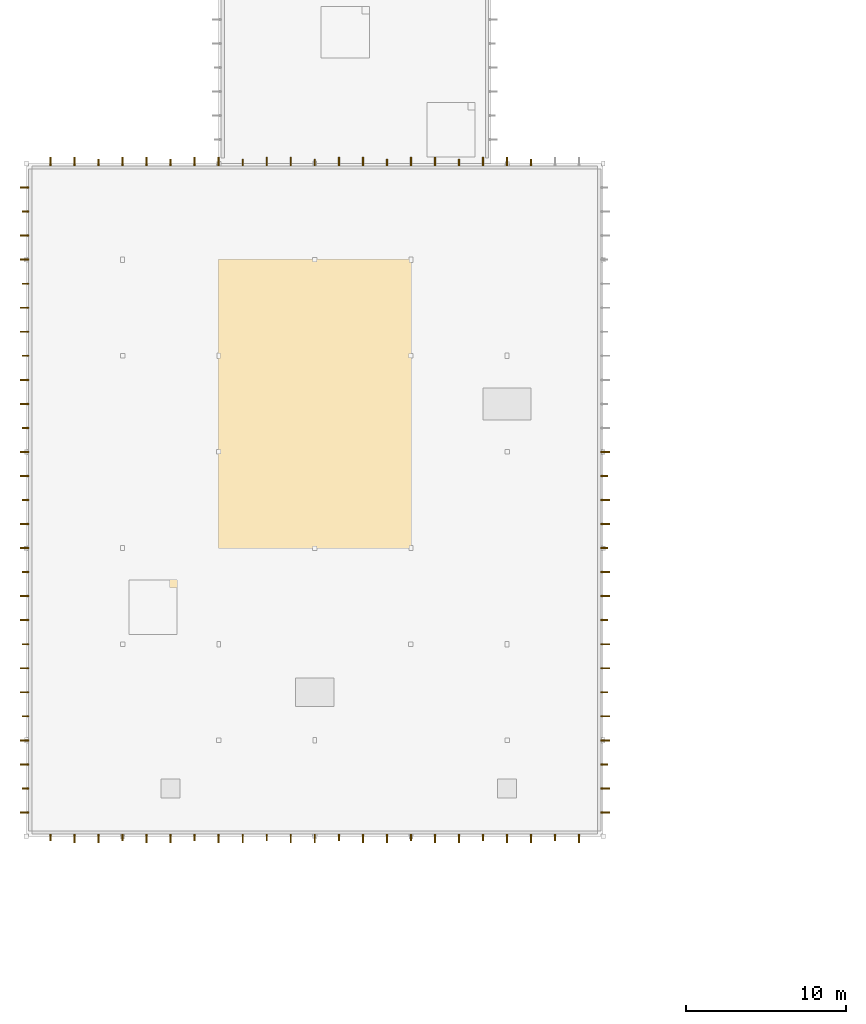
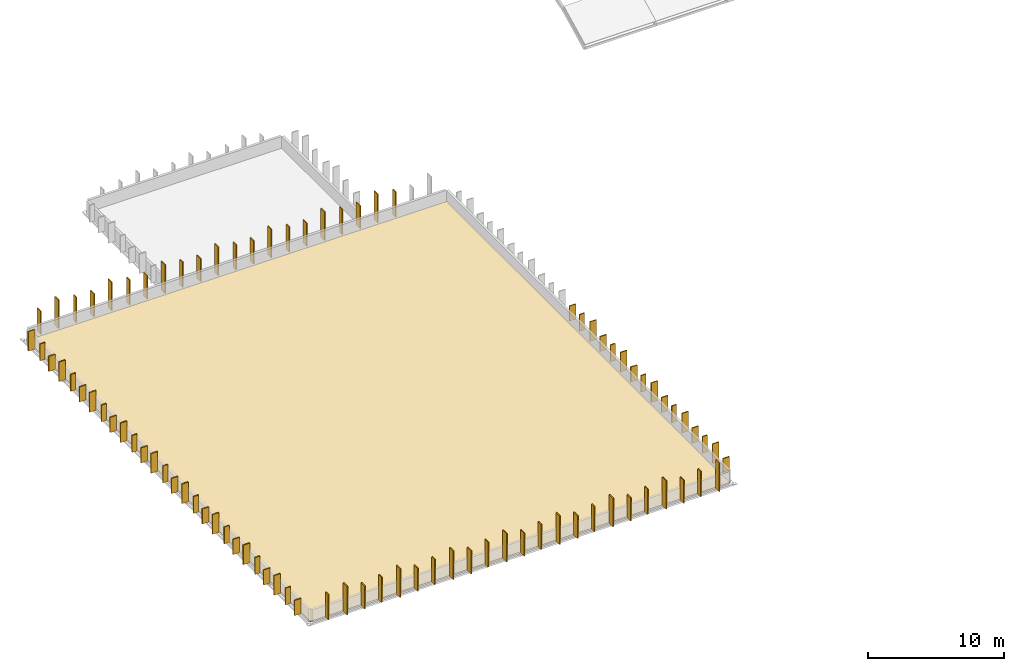
# One storey, part 21 of 27: 88 coverings.
"""IFC4 building model written with IfcOpenShell, lengths in metres."""

from ifc_helpers import new_model, si_unit, direction, frame, origin, origin_2d, place, context, subcontext, project, spatial, polyline, rectangle, outline, extrude, material, layer, layer_set, type_object, element, save


model = new_model("IFC4")

# Units and contexts
model_context = context("Model", 3, precision=1e-05, world=origin(), true_north=direction((0.0, 1.0)))
body_context = subcontext(model_context, "Body", "Model", "MODEL_VIEW")
ifc_project = project(units=[si_unit("LENGTHUNIT", "METRE"), si_unit("AREAUNIT", "SQUARE_METRE"), si_unit("VOLUMEUNIT", "CUBIC_METRE"), si_unit("PLANEANGLEUNIT", "RADIAN"), si_unit("MASSUNIT", "GRAM", prefix="KILO")], contexts=[model_context])

# Site, building, storey
site_placement = place(None, origin())
site = spatial("IfcSite", under=ifc_project, at=site_placement, CompositionType="ELEMENT")
building_placement = place(site_placement, origin())
building = spatial("IfcBuilding", under=site, at=building_placement, Name="Varnakota Square Police Headquarters", CompositionType="ELEMENT")
storey_placement = place(building_placement, frame((0.0, 0.0, 26.10009765625)))
storey = spatial("IfcBuildingStorey", under=building, at=storey_placement, Name="L06", CompositionType="ELEMENT", Elevation=26.10009765625)

# Coverings
ifc_material_1 = material(Name="White Anodised Aluminium Vertical Facade Blade 420", Category="aluminium")
ifc_layer_1 = layer(ifc_material_1, 0.0849609375, Name="White Anodised Aluminium Vertical Facade Blade 420")
ifc_layer_set_1 = layer_set([ifc_layer_1], Name="White Anodised Aluminium Vertical Facade Blade 420")
covering_type_1 = type_object("IfcCoveringType", Name="COV-FIN-420", PredefinedType="CLADDING", material=ifc_layer_set_1)
for number, where, z_axis, x_axis, name in (
    (1, (7.5, 20.93994140625, 0.0498046875), (0.0, 0.0, 1.0), (1.0, 0.0, 0.0), "Vertical aluminium facade fin FIN-1441"),
    (2, (12.0, 20.93994140625, 0.0498046875), (0.0, 0.0, 1.0), (1.0, 0.0, 0.0), "Vertical aluminium facade fin FIN-1444"),
    (3, (16.5, 20.93994140625, 0.0498046875), (0.0, 0.0, 1.0), (1.0, 0.0, 0.0), "Vertical aluminium facade fin FIN-1447"),
    (4, (21.0, 20.93994140625, 0.0498046875), (0.0, 0.0, 1.0), (1.0, 0.0, 0.0), "Vertical aluminium facade fin FIN-1450"),
    (5, (25.5, 20.93994140625, 0.0498046875), (0.0, 0.0, 1.0), (1.0, 0.0, 0.0), "Vertical aluminium facade fin FIN-1453"),
    (6, (30.0, 20.93994140625, 0.0498046875), (0.0, 0.0, 1.0), (1.0, 0.0, 0.0), "Vertical aluminium facade fin FIN-1456"),
    (7, (34.5, 20.93994140625, 0.0498046875), (0.0, 0.0, 1.0), (1.0, 0.0, 0.0), "Vertical aluminium facade fin FIN-1459"),
    (8, (39.0, 20.93994140625, 0.0498046875), (0.0, 0.0, 1.0), (1.0, 0.0, 0.0), "Vertical aluminium facade fin FIN-1462"),
):
    element("IfcCovering", number, at=place(storey_placement, frame(where, z_axis=z_axis, x_axis=x_axis)), inside=storey, type_object=covering_type_1, Name=name, PredefinedType="CLADDING", context=body_context, shape_type="SweptSolid", body=[
        extrude(rectangle(XDim=0.0849609375, YDim=0.419921875, at=origin_2d()), origin(), (0.0, 0.0, 1.0), 2.25),
    ])
for number, where, z_axis, x_axis, name in (
    (9, (42.06005859375, 25.5, 0.0498046875), (0.0, 0.0, 1.0), (0.0, 1.0, 0.0), "Vertical aluminium facade fin FIN-1466"),
    (10, (42.06005859375, 30.0, 0.0498046875), (0.0, 0.0, 1.0), (0.0, 1.0, 0.0), "Vertical aluminium facade fin FIN-1469"),
    (11, (42.06005859375, 34.5, 0.0498046875), (0.0, 0.0, 1.0), (0.0, 1.0, 0.0), "Vertical aluminium facade fin FIN-1472"),
    (12, (42.06005859375, 39.0, 0.0498046875), (0.0, 0.0, 1.0), (0.0, 1.0, 0.0), "Vertical aluminium facade fin FIN-1475"),
    (13, (42.06005859375, 43.5, 0.0498046875), (0.0, 0.0, 1.0), (0.0, 1.0, 0.0), "Vertical aluminium facade fin FIN-1478"),
):
    element("IfcCovering", number, at=place(storey_placement, frame(where, z_axis=z_axis, x_axis=x_axis)), inside=storey, type_object=covering_type_1, Name=name, PredefinedType="CLADDING", context=body_context, shape_type="SweptSolid", body=[
        extrude(rectangle(XDim=0.0849609375, YDim=0.419921875, at=origin_2d()), origin(), (0.0, 0.0, 1.0), 1.5),
    ])
for number, where, z_axis, x_axis, name in (
    (14, (37.5, 63.06005859375, 0.0498046875), (0.0, 0.0, 1.0), (-1.0, 0.0, 0.0), "Vertical aluminium facade fin FIN-1493"),
    (15, (33.0, 63.06005859375, 0.0498046875), (0.0, 0.0, 1.0), (-1.0, 0.0, 0.0), "Vertical aluminium facade fin FIN-1496"),
    (16, (28.5, 63.06005859375, 0.0498046875), (0.0, 0.0, 1.0), (-1.0, 0.0, 0.0), "Vertical aluminium facade fin FIN-1499"),
    (17, (24.0, 63.06005859375, 0.0498046875), (0.0, 0.0, 1.0), (-1.0, 0.0, 0.0), "Vertical aluminium facade fin FIN-1502"),
    (18, (19.5, 63.06005859375, 0.0498046875), (0.0, 0.0, 1.0), (-1.0, 0.0, 0.0), "Vertical aluminium facade fin FIN-1505"),
    (19, (15.0, 63.06005859375, 0.0498046875), (0.0, 0.0, 1.0), (-1.0, 0.0, 0.0), "Vertical aluminium facade fin FIN-1508"),
    (20, (10.5, 63.06005859375, 0.0498046875), (0.0, 0.0, 1.0), (-1.0, 0.0, 0.0), "Vertical aluminium facade fin FIN-1511"),
):
    element("IfcCovering", number, at=place(storey_placement, frame(where, z_axis=z_axis, x_axis=x_axis)), inside=storey, type_object=covering_type_1, Name=name, PredefinedType="CLADDING", context=body_context, shape_type="SweptSolid", body=[
        extrude(rectangle(XDim=0.0849609375, YDim=0.419921875, at=origin_2d()), origin(), (0.0, 0.0, 1.0), 2.25),
    ])
for number, where, z_axis, x_axis, name in (
    (21, (5.93994140625, 60.0, 0.0498046875), (0.0, 0.0, 1.0), (0.0, -1.0, 0.0), "Vertical aluminium facade fin FIN-1515"),
    (22, (5.93994140625, 55.5, 0.0498046875), (0.0, 0.0, 1.0), (0.0, -1.0, 0.0), "Vertical aluminium facade fin FIN-1518"),
    (23, (5.93994140625, 51.0, 0.0498046875), (0.0, 0.0, 1.0), (0.0, -1.0, 0.0), "Vertical aluminium facade fin FIN-1521"),
    (24, (5.93994140625, 46.5, 0.0498046875), (0.0, 0.0, 1.0), (0.0, -1.0, 0.0), "Vertical aluminium facade fin FIN-1524"),
    (25, (5.93994140625, 42.0, 0.0498046875), (0.0, 0.0, 1.0), (0.0, -1.0, 0.0), "Vertical aluminium facade fin FIN-1527"),
    (26, (5.93994140625, 37.5, 0.0498046875), (0.0, 0.0, 1.0), (0.0, -1.0, 0.0), "Vertical aluminium facade fin FIN-1530"),
    (27, (5.93994140625, 33.0, 0.0498046875), (0.0, 0.0, 1.0), (0.0, -1.0, 0.0), "Vertical aluminium facade fin FIN-1533"),
    (28, (5.93994140625, 28.5, 0.0498046875), (0.0, 0.0, 1.0), (0.0, -1.0, 0.0), "Vertical aluminium facade fin FIN-1536"),
    (29, (5.93994140625, 24.0, 0.0498046875), (0.0, 0.0, 1.0), (0.0, -1.0, 0.0), "Vertical aluminium facade fin FIN-1539"),
):
    element("IfcCovering", number, at=place(storey_placement, frame(where, z_axis=z_axis, x_axis=x_axis)), inside=storey, type_object=covering_type_1, Name=name, PredefinedType="CLADDING", context=body_context, shape_type="SweptSolid", body=[
        extrude(rectangle(XDim=0.0849609375, YDim=0.419921875, at=origin_2d()), origin(), (0.0, 0.0, 1.0), 1.5),
    ])
ifc_material_2 = material(Name="White Anodised Aluminium Vertical Facade Blade 550", Category="aluminium")
ifc_layer_2 = layer(ifc_material_2, 0.0849609375, Name="White Anodised Aluminium Vertical Facade Blade 550")
ifc_layer_set_2 = layer_set([ifc_layer_2], Name="White Anodised Aluminium Vertical Facade Blade 550")
covering_type_2 = type_object("IfcCoveringType", Name="COV-FIN-550", PredefinedType="CLADDING", material=ifc_layer_set_2)
covering_1_placement = place(storey_placement, frame((9.0, 20.875, 0.0498046875), z_axis=(0.0, 0.0, 1.0), x_axis=(1.0, 0.0, 0.0)))
element("IfcCovering", 30, at=covering_1_placement, inside=storey, type_object=covering_type_2, Name="Vertical aluminium facade fin FIN-1442", PredefinedType="CLADDING", context=body_context, shape_type="SweptSolid", body=[
    extrude(rectangle(XDim=0.0849609375, YDim=0.550048828125, at=origin_2d()), origin(), (0.0, 0.0, 1.0), 2.550048828125),
])
covering_2_placement = place(storey_placement, frame((10.5, 20.875, 0.0498046875), z_axis=(0.0, 0.0, 1.0), x_axis=(1.0, 0.0, 0.0)))
element("IfcCovering", 31, at=covering_2_placement, inside=storey, type_object=covering_type_2, Name="Vertical aluminium facade fin FIN-1443", PredefinedType="CLADDING", context=body_context, shape_type="SweptSolid", body=[
    extrude(rectangle(XDim=0.0849609375, YDim=0.550048828125, at=origin_2d()), origin(), (0.0, 0.0, 1.0), 2.050048828125),
])
covering_3_placement = place(storey_placement, frame((13.5, 20.875, 0.0498046875), z_axis=(0.0, 0.0, 1.0), x_axis=(1.0, 0.0, 0.0)))
element("IfcCovering", 32, at=covering_3_placement, inside=storey, type_object=covering_type_2, Name="Vertical aluminium facade fin FIN-1445", PredefinedType="CLADDING", context=body_context, shape_type="SweptSolid", body=[
    extrude(rectangle(XDim=0.0849609375, YDim=0.550048828125, at=origin_2d()), origin(), (0.0, 0.0, 1.0), 2.550048828125),
])
covering_4_placement = place(storey_placement, frame((15.0, 20.875, 0.0498046875), z_axis=(0.0, 0.0, 1.0), x_axis=(1.0, 0.0, 0.0)))
element("IfcCovering", 33, at=covering_4_placement, inside=storey, type_object=covering_type_2, Name="Vertical aluminium facade fin FIN-1446", PredefinedType="CLADDING", context=body_context, shape_type="SweptSolid", body=[
    extrude(rectangle(XDim=0.0849609375, YDim=0.550048828125, at=origin_2d()), origin(), (0.0, 0.0, 1.0), 2.050048828125),
])
covering_5_placement = place(storey_placement, frame((18.0, 20.875, 0.0498046875), z_axis=(0.0, 0.0, 1.0), x_axis=(1.0, 0.0, 0.0)))
element("IfcCovering", 34, at=covering_5_placement, inside=storey, type_object=covering_type_2, Name="Vertical aluminium facade fin FIN-1448", PredefinedType="CLADDING", context=body_context, shape_type="SweptSolid", body=[
    extrude(rectangle(XDim=0.0849609375, YDim=0.550048828125, at=origin_2d()), origin(), (0.0, 0.0, 1.0), 2.550048828125),
])
covering_6_placement = place(storey_placement, frame((19.5, 20.875, 0.0498046875), z_axis=(0.0, 0.0, 1.0), x_axis=(1.0, 0.0, 0.0)))
element("IfcCovering", 35, at=covering_6_placement, inside=storey, type_object=covering_type_2, Name="Vertical aluminium facade fin FIN-1449", PredefinedType="CLADDING", context=body_context, shape_type="SweptSolid", body=[
    extrude(rectangle(XDim=0.0849609375, YDim=0.550048828125, at=origin_2d()), origin(), (0.0, 0.0, 1.0), 2.050048828125),
])
covering_7_placement = place(storey_placement, frame((22.5, 20.875, 0.0498046875), z_axis=(0.0, 0.0, 1.0), x_axis=(1.0, 0.0, 0.0)))
element("IfcCovering", 36, at=covering_7_placement, inside=storey, type_object=covering_type_2, Name="Vertical aluminium facade fin FIN-1451", PredefinedType="CLADDING", context=body_context, shape_type="SweptSolid", body=[
    extrude(rectangle(XDim=0.0849609375, YDim=0.550048828125, at=origin_2d()), origin(), (0.0, 0.0, 1.0), 2.550048828125),
])
covering_8_placement = place(storey_placement, frame((24.0, 20.875, 0.0498046875), z_axis=(0.0, 0.0, 1.0), x_axis=(1.0, 0.0, 0.0)))
element("IfcCovering", 37, at=covering_8_placement, inside=storey, type_object=covering_type_2, Name="Vertical aluminium facade fin FIN-1452", PredefinedType="CLADDING", context=body_context, shape_type="SweptSolid", body=[
    extrude(rectangle(XDim=0.0849609375, YDim=0.550048828125, at=origin_2d()), origin(), (0.0, 0.0, 1.0), 2.050048828125),
])
covering_9_placement = place(storey_placement, frame((27.0, 20.875, 0.0498046875), z_axis=(0.0, 0.0, 1.0), x_axis=(1.0, 0.0, 0.0)))
element("IfcCovering", 38, at=covering_9_placement, inside=storey, type_object=covering_type_2, Name="Vertical aluminium facade fin FIN-1454", PredefinedType="CLADDING", context=body_context, shape_type="SweptSolid", body=[
    extrude(rectangle(XDim=0.0849609375, YDim=0.550048828125, at=origin_2d()), origin(), (0.0, 0.0, 1.0), 2.550048828125),
])
covering_10_placement = place(storey_placement, frame((28.5, 20.875, 0.0498046875), z_axis=(0.0, 0.0, 1.0), x_axis=(1.0, 0.0, 0.0)))
element("IfcCovering", 39, at=covering_10_placement, inside=storey, type_object=covering_type_2, Name="Vertical aluminium facade fin FIN-1455", PredefinedType="CLADDING", context=body_context, shape_type="SweptSolid", body=[
    extrude(rectangle(XDim=0.0849609375, YDim=0.550048828125, at=origin_2d()), origin(), (0.0, 0.0, 1.0), 2.050048828125),
])
covering_11_placement = place(storey_placement, frame((31.5, 20.875, 0.0498046875), z_axis=(0.0, 0.0, 1.0), x_axis=(1.0, 0.0, 0.0)))
element("IfcCovering", 40, at=covering_11_placement, inside=storey, type_object=covering_type_2, Name="Vertical aluminium facade fin FIN-1457", PredefinedType="CLADDING", context=body_context, shape_type="SweptSolid", body=[
    extrude(rectangle(XDim=0.0849609375, YDim=0.550048828125, at=origin_2d()), origin(), (0.0, 0.0, 1.0), 2.550048828125),
])
covering_12_placement = place(storey_placement, frame((33.0, 20.875, 0.0498046875), z_axis=(0.0, 0.0, 1.0), x_axis=(1.0, 0.0, 0.0)))
element("IfcCovering", 41, at=covering_12_placement, inside=storey, type_object=covering_type_2, Name="Vertical aluminium facade fin FIN-1458", PredefinedType="CLADDING", context=body_context, shape_type="SweptSolid", body=[
    extrude(rectangle(XDim=0.0849609375, YDim=0.550048828125, at=origin_2d()), origin(), (0.0, 0.0, 1.0), 2.050048828125),
])
covering_13_placement = place(storey_placement, frame((36.0, 20.875, 0.0498046875), z_axis=(0.0, 0.0, 1.0), x_axis=(1.0, 0.0, 0.0)))
element("IfcCovering", 42, at=covering_13_placement, inside=storey, type_object=covering_type_2, Name="Vertical aluminium facade fin FIN-1460", PredefinedType="CLADDING", context=body_context, shape_type="SweptSolid", body=[
    extrude(rectangle(XDim=0.0849609375, YDim=0.550048828125, at=origin_2d()), origin(), (0.0, 0.0, 1.0), 2.550048828125),
])
covering_14_placement = place(storey_placement, frame((37.5, 20.875, 0.0498046875), z_axis=(0.0, 0.0, 1.0), x_axis=(1.0, 0.0, 0.0)))
element("IfcCovering", 43, at=covering_14_placement, inside=storey, type_object=covering_type_2, Name="Vertical aluminium facade fin FIN-1461", PredefinedType="CLADDING", context=body_context, shape_type="SweptSolid", body=[
    extrude(rectangle(XDim=0.0849609375, YDim=0.550048828125, at=origin_2d()), origin(), (0.0, 0.0, 1.0), 2.050048828125),
])
covering_15_placement = place(storey_placement, frame((40.5, 20.875, 0.0498046875), z_axis=(0.0, 0.0, 1.0), x_axis=(1.0, 0.0, 0.0)))
element("IfcCovering", 44, at=covering_15_placement, inside=storey, type_object=covering_type_2, Name="Vertical aluminium facade fin FIN-1463", PredefinedType="CLADDING", context=body_context, shape_type="SweptSolid", body=[
    extrude(rectangle(XDim=0.0849609375, YDim=0.550048828125, at=origin_2d()), origin(), (0.0, 0.0, 1.0), 2.550048828125),
])
covering_16_placement = place(storey_placement, frame((42.125, 22.5, 0.0498046875), z_axis=(0.0, 0.0, 1.0), x_axis=(0.0, 1.0, 0.0)))
element("IfcCovering", 45, at=covering_16_placement, inside=storey, type_object=covering_type_2, Name="Vertical aluminium facade fin FIN-1464", PredefinedType="CLADDING", context=body_context, shape_type="SweptSolid", body=[
    extrude(rectangle(XDim=0.0849609375, YDim=0.550048828125, at=origin_2d()), origin(), (0.0, 0.0, 1.0), 1.35009765625),
])
covering_17_placement = place(storey_placement, frame((42.125, 24.0, 0.0498046875), z_axis=(0.0, 0.0, 1.0), x_axis=(0.0, 1.0, 0.0)))
element("IfcCovering", 46, at=covering_17_placement, inside=storey, type_object=covering_type_2, Name="Vertical aluminium facade fin FIN-1465", PredefinedType="CLADDING", context=body_context, shape_type="SweptSolid", body=[
    extrude(rectangle(XDim=0.0849609375, YDim=0.550048828125, at=origin_2d()), origin(), (0.0, 0.0, 1.0), 1.75),
])
covering_18_placement = place(storey_placement, frame((42.125, 27.0, 0.0498046875), z_axis=(0.0, 0.0, 1.0), x_axis=(0.0, 1.0, 0.0)))
element("IfcCovering", 47, at=covering_18_placement, inside=storey, type_object=covering_type_2, Name="Vertical aluminium facade fin FIN-1467", PredefinedType="CLADDING", context=body_context, shape_type="SweptSolid", body=[
    extrude(rectangle(XDim=0.0849609375, YDim=0.550048828125, at=origin_2d()), origin(), (0.0, 0.0, 1.0), 1.35009765625),
])
covering_19_placement = place(storey_placement, frame((42.125, 28.5, 0.0498046875), z_axis=(0.0, 0.0, 1.0), x_axis=(0.0, 1.0, 0.0)))
element("IfcCovering", 48, at=covering_19_placement, inside=storey, type_object=covering_type_2, Name="Vertical aluminium facade fin FIN-1468", PredefinedType="CLADDING", context=body_context, shape_type="SweptSolid", body=[
    extrude(rectangle(XDim=0.0849609375, YDim=0.550048828125, at=origin_2d()), origin(), (0.0, 0.0, 1.0), 1.75),
])
covering_20_placement = place(storey_placement, frame((42.125, 31.5, 0.0498046875), z_axis=(0.0, 0.0, 1.0), x_axis=(0.0, 1.0, 0.0)))
element("IfcCovering", 49, at=covering_20_placement, inside=storey, type_object=covering_type_2, Name="Vertical aluminium facade fin FIN-1470", PredefinedType="CLADDING", context=body_context, shape_type="SweptSolid", body=[
    extrude(rectangle(XDim=0.0849609375, YDim=0.550048828125, at=origin_2d()), origin(), (0.0, 0.0, 1.0), 1.35009765625),
])
covering_21_placement = place(storey_placement, frame((42.125, 33.0, 0.0498046875), z_axis=(0.0, 0.0, 1.0), x_axis=(0.0, 1.0, 0.0)))
element("IfcCovering", 50, at=covering_21_placement, inside=storey, type_object=covering_type_2, Name="Vertical aluminium facade fin FIN-1471", PredefinedType="CLADDING", context=body_context, shape_type="SweptSolid", body=[
    extrude(rectangle(XDim=0.0849609375, YDim=0.550048828125, at=origin_2d()), origin(), (0.0, 0.0, 1.0), 1.75),
])
covering_22_placement = place(storey_placement, frame((42.125, 36.0, 0.0498046875), z_axis=(0.0, 0.0, 1.0), x_axis=(0.0, 1.0, 0.0)))
element("IfcCovering", 51, at=covering_22_placement, inside=storey, type_object=covering_type_2, Name="Vertical aluminium facade fin FIN-1473", PredefinedType="CLADDING", context=body_context, shape_type="SweptSolid", body=[
    extrude(rectangle(XDim=0.0849609375, YDim=0.550048828125, at=origin_2d()), origin(), (0.0, 0.0, 1.0), 1.35009765625),
])
covering_23_placement = place(storey_placement, frame((42.125, 37.5, 0.0498046875), z_axis=(0.0, 0.0, 1.0), x_axis=(0.0, 1.0, 0.0)))
element("IfcCovering", 52, at=covering_23_placement, inside=storey, type_object=covering_type_2, Name="Vertical aluminium facade fin FIN-1474", PredefinedType="CLADDING", context=body_context, shape_type="SweptSolid", body=[
    extrude(rectangle(XDim=0.0849609375, YDim=0.550048828125, at=origin_2d()), origin(), (0.0, 0.0, 1.0), 1.75),
])
covering_24_placement = place(storey_placement, frame((42.125, 40.5, 0.0498046875), z_axis=(0.0, 0.0, 1.0), x_axis=(0.0, 1.0, 0.0)))
element("IfcCovering", 53, at=covering_24_placement, inside=storey, type_object=covering_type_2, Name="Vertical aluminium facade fin FIN-1476", PredefinedType="CLADDING", context=body_context, shape_type="SweptSolid", body=[
    extrude(rectangle(XDim=0.0849609375, YDim=0.550048828125, at=origin_2d()), origin(), (0.0, 0.0, 1.0), 1.35009765625),
])
covering_25_placement = place(storey_placement, frame((42.125, 42.0, 0.0498046875), z_axis=(0.0, 0.0, 1.0), x_axis=(0.0, 1.0, 0.0)))
element("IfcCovering", 54, at=covering_25_placement, inside=storey, type_object=covering_type_2, Name="Vertical aluminium facade fin FIN-1477", PredefinedType="CLADDING", context=body_context, shape_type="SweptSolid", body=[
    extrude(rectangle(XDim=0.0849609375, YDim=0.550048828125, at=origin_2d()), origin(), (0.0, 0.0, 1.0), 1.75),
])
covering_26_placement = place(storey_placement, frame((42.125, 45.0, 0.0498046875), z_axis=(0.0, 0.0, 1.0), x_axis=(0.0, 1.0, 0.0)))
element("IfcCovering", 55, at=covering_26_placement, inside=storey, type_object=covering_type_2, Name="Vertical aluminium facade fin FIN-1479", PredefinedType="CLADDING", context=body_context, shape_type="SweptSolid", body=[
    extrude(rectangle(XDim=0.0849609375, YDim=0.550048828125, at=origin_2d()), origin(), (0.0, 0.0, 1.0), 1.35009765625),
])
covering_27_placement = place(storey_placement, frame((36.0, 63.125, 0.0498046875), z_axis=(0.0, 0.0, 1.0), x_axis=(-1.0, 0.0, 0.0)))
element("IfcCovering", 56, at=covering_27_placement, inside=storey, type_object=covering_type_2, Name="Vertical aluminium facade fin FIN-1494", PredefinedType="CLADDING", context=body_context, shape_type="SweptSolid", body=[
    extrude(rectangle(XDim=0.0849609375, YDim=0.550048828125, at=origin_2d()), origin(), (0.0, 0.0, 1.0), 2.550048828125),
])
covering_28_placement = place(storey_placement, frame((34.5, 63.125, 0.0498046875), z_axis=(0.0, 0.0, 1.0), x_axis=(-1.0, 0.0, 0.0)))
element("IfcCovering", 57, at=covering_28_placement, inside=storey, type_object=covering_type_2, Name="Vertical aluminium facade fin FIN-1495", PredefinedType="CLADDING", context=body_context, shape_type="SweptSolid", body=[
    extrude(rectangle(XDim=0.0849609375, YDim=0.550048828125, at=origin_2d()), origin(), (0.0, 0.0, 1.0), 2.050048828125),
])
covering_29_placement = place(storey_placement, frame((31.5, 63.125, 0.0498046875), z_axis=(0.0, 0.0, 1.0), x_axis=(-1.0, 0.0, 0.0)))
element("IfcCovering", 58, at=covering_29_placement, inside=storey, type_object=covering_type_2, Name="Vertical aluminium facade fin FIN-1497", PredefinedType="CLADDING", context=body_context, shape_type="SweptSolid", body=[
    extrude(rectangle(XDim=0.0849609375, YDim=0.550048828125, at=origin_2d()), origin(), (0.0, 0.0, 1.0), 2.550048828125),
])
covering_30_placement = place(storey_placement, frame((30.0, 63.125, 0.0498046875), z_axis=(0.0, 0.0, 1.0), x_axis=(-1.0, 0.0, 0.0)))
element("IfcCovering", 59, at=covering_30_placement, inside=storey, type_object=covering_type_2, Name="Vertical aluminium facade fin FIN-1498", PredefinedType="CLADDING", context=body_context, shape_type="SweptSolid", body=[
    extrude(rectangle(XDim=0.0849609375, YDim=0.550048828125, at=origin_2d()), origin(), (0.0, 0.0, 1.0), 2.050048828125),
])
covering_31_placement = place(storey_placement, frame((27.0, 63.125, 0.0498046875), z_axis=(0.0, 0.0, 1.0), x_axis=(-1.0, 0.0, 0.0)))
element("IfcCovering", 60, at=covering_31_placement, inside=storey, type_object=covering_type_2, Name="Vertical aluminium facade fin FIN-1500", PredefinedType="CLADDING", context=body_context, shape_type="SweptSolid", body=[
    extrude(rectangle(XDim=0.0849609375, YDim=0.550048828125, at=origin_2d()), origin(), (0.0, 0.0, 1.0), 2.550048828125),
])
covering_32_placement = place(storey_placement, frame((25.5, 63.125, 0.0498046875), z_axis=(0.0, 0.0, 1.0), x_axis=(-1.0, 0.0, 0.0)))
element("IfcCovering", 61, at=covering_32_placement, inside=storey, type_object=covering_type_2, Name="Vertical aluminium facade fin FIN-1501", PredefinedType="CLADDING", context=body_context, shape_type="SweptSolid", body=[
    extrude(rectangle(XDim=0.0849609375, YDim=0.550048828125, at=origin_2d()), origin(), (0.0, 0.0, 1.0), 2.050048828125),
])
covering_33_placement = place(storey_placement, frame((22.5, 63.125, 0.0498046875), z_axis=(0.0, 0.0, 1.0), x_axis=(-1.0, 0.0, 0.0)))
element("IfcCovering", 62, at=covering_33_placement, inside=storey, type_object=covering_type_2, Name="Vertical aluminium facade fin FIN-1503", PredefinedType="CLADDING", context=body_context, shape_type="SweptSolid", body=[
    extrude(rectangle(XDim=0.0849609375, YDim=0.550048828125, at=origin_2d()), origin(), (0.0, 0.0, 1.0), 2.550048828125),
])
covering_34_placement = place(storey_placement, frame((21.0, 63.125, 0.0498046875), z_axis=(0.0, 0.0, 1.0), x_axis=(-1.0, 0.0, 0.0)))
element("IfcCovering", 63, at=covering_34_placement, inside=storey, type_object=covering_type_2, Name="Vertical aluminium facade fin FIN-1504", PredefinedType="CLADDING", context=body_context, shape_type="SweptSolid", body=[
    extrude(rectangle(XDim=0.0849609375, YDim=0.550048828125, at=origin_2d()), origin(), (0.0, 0.0, 1.0), 2.050048828125),
])
covering_35_placement = place(storey_placement, frame((18.0, 63.125, 0.0498046875), z_axis=(0.0, 0.0, 1.0), x_axis=(-1.0, 0.0, 0.0)))
element("IfcCovering", 64, at=covering_35_placement, inside=storey, type_object=covering_type_2, Name="Vertical aluminium facade fin FIN-1506", PredefinedType="CLADDING", context=body_context, shape_type="SweptSolid", body=[
    extrude(rectangle(XDim=0.0849609375, YDim=0.550048828125, at=origin_2d()), origin(), (0.0, 0.0, 1.0), 2.550048828125),
])
covering_36_placement = place(storey_placement, frame((16.5, 63.125, 0.0498046875), z_axis=(0.0, 0.0, 1.0), x_axis=(-1.0, 0.0, 0.0)))
element("IfcCovering", 65, at=covering_36_placement, inside=storey, type_object=covering_type_2, Name="Vertical aluminium facade fin FIN-1507", PredefinedType="CLADDING", context=body_context, shape_type="SweptSolid", body=[
    extrude(rectangle(XDim=0.0849609375, YDim=0.550048828125, at=origin_2d()), origin(), (0.0, 0.0, 1.0), 2.050048828125),
])
covering_37_placement = place(storey_placement, frame((13.5, 63.125, 0.0498046875), z_axis=(0.0, 0.0, 1.0), x_axis=(-1.0, 0.0, 0.0)))
element("IfcCovering", 66, at=covering_37_placement, inside=storey, type_object=covering_type_2, Name="Vertical aluminium facade fin FIN-1509", PredefinedType="CLADDING", context=body_context, shape_type="SweptSolid", body=[
    extrude(rectangle(XDim=0.0849609375, YDim=0.550048828125, at=origin_2d()), origin(), (0.0, 0.0, 1.0), 2.550048828125),
])
covering_38_placement = place(storey_placement, frame((12.0, 63.125, 0.0498046875), z_axis=(0.0, 0.0, 1.0), x_axis=(-1.0, 0.0, 0.0)))
element("IfcCovering", 67, at=covering_38_placement, inside=storey, type_object=covering_type_2, Name="Vertical aluminium facade fin FIN-1510", PredefinedType="CLADDING", context=body_context, shape_type="SweptSolid", body=[
    extrude(rectangle(XDim=0.0849609375, YDim=0.550048828125, at=origin_2d()), origin(), (0.0, 0.0, 1.0), 2.050048828125),
])
covering_39_placement = place(storey_placement, frame((9.0, 63.125, 0.0498046875), z_axis=(0.0, 0.0, 1.0), x_axis=(-1.0, 0.0, 0.0)))
element("IfcCovering", 68, at=covering_39_placement, inside=storey, type_object=covering_type_2, Name="Vertical aluminium facade fin FIN-1512", PredefinedType="CLADDING", context=body_context, shape_type="SweptSolid", body=[
    extrude(rectangle(XDim=0.0849609375, YDim=0.550048828125, at=origin_2d()), origin(), (0.0, 0.0, 1.0), 2.550048828125),
])
covering_40_placement = place(storey_placement, frame((7.5, 63.125, 0.0498046875), z_axis=(0.0, 0.0, 1.0), x_axis=(-1.0, 0.0, 0.0)))
element("IfcCovering", 69, at=covering_40_placement, inside=storey, type_object=covering_type_2, Name="Vertical aluminium facade fin FIN-1513", PredefinedType="CLADDING", context=body_context, shape_type="SweptSolid", body=[
    extrude(rectangle(XDim=0.0849609375, YDim=0.550048828125, at=origin_2d()), origin(), (0.0, 0.0, 1.0), 2.050048828125),
])
covering_41_placement = place(storey_placement, frame((5.875, 61.5, 0.0498046875), z_axis=(0.0, 0.0, 1.0), x_axis=(0.0, -1.0, 0.0)))
element("IfcCovering", 70, at=covering_41_placement, inside=storey, type_object=covering_type_2, Name="Vertical aluminium facade fin FIN-1514", PredefinedType="CLADDING", context=body_context, shape_type="SweptSolid", body=[
    extrude(rectangle(XDim=0.0849609375, YDim=0.550048828125, at=origin_2d()), origin(), (0.0, 0.0, 1.0), 1.75),
])
covering_42_placement = place(storey_placement, frame((5.875, 58.5, 0.0498046875), z_axis=(0.0, 0.0, 1.0), x_axis=(0.0, -1.0, 0.0)))
element("IfcCovering", 71, at=covering_42_placement, inside=storey, type_object=covering_type_2, Name="Vertical aluminium facade fin FIN-1516", PredefinedType="CLADDING", context=body_context, shape_type="SweptSolid", body=[
    extrude(rectangle(XDim=0.0849609375, YDim=0.550048828125, at=origin_2d()), origin(), (0.0, 0.0, 1.0), 1.35009765625),
])
covering_43_placement = place(storey_placement, frame((5.875, 57.0, 0.0498046875), z_axis=(0.0, 0.0, 1.0), x_axis=(0.0, -1.0, 0.0)))
element("IfcCovering", 72, at=covering_43_placement, inside=storey, type_object=covering_type_2, Name="Vertical aluminium facade fin FIN-1517", PredefinedType="CLADDING", context=body_context, shape_type="SweptSolid", body=[
    extrude(rectangle(XDim=0.0849609375, YDim=0.550048828125, at=origin_2d()), origin(), (0.0, 0.0, 1.0), 1.75),
])
covering_44_placement = place(storey_placement, frame((5.875, 54.0, 0.0498046875), z_axis=(0.0, 0.0, 1.0), x_axis=(0.0, -1.0, 0.0)))
element("IfcCovering", 73, at=covering_44_placement, inside=storey, type_object=covering_type_2, Name="Vertical aluminium facade fin FIN-1519", PredefinedType="CLADDING", context=body_context, shape_type="SweptSolid", body=[
    extrude(rectangle(XDim=0.0849609375, YDim=0.550048828125, at=origin_2d()), origin(), (0.0, 0.0, 1.0), 1.35009765625),
])
covering_45_placement = place(storey_placement, frame((5.875, 52.5, 0.0498046875), z_axis=(0.0, 0.0, 1.0), x_axis=(0.0, -1.0, 0.0)))
element("IfcCovering", 74, at=covering_45_placement, inside=storey, type_object=covering_type_2, Name="Vertical aluminium facade fin FIN-1520", PredefinedType="CLADDING", context=body_context, shape_type="SweptSolid", body=[
    extrude(rectangle(XDim=0.0849609375, YDim=0.550048828125, at=origin_2d()), origin(), (0.0, 0.0, 1.0), 1.75),
])
covering_46_placement = place(storey_placement, frame((5.875, 49.5, 0.0498046875), z_axis=(0.0, 0.0, 1.0), x_axis=(0.0, -1.0, 0.0)))
element("IfcCovering", 75, at=covering_46_placement, inside=storey, type_object=covering_type_2, Name="Vertical aluminium facade fin FIN-1522", PredefinedType="CLADDING", context=body_context, shape_type="SweptSolid", body=[
    extrude(rectangle(XDim=0.0849609375, YDim=0.550048828125, at=origin_2d()), origin(), (0.0, 0.0, 1.0), 1.35009765625),
])
covering_47_placement = place(storey_placement, frame((5.875, 48.0, 0.0498046875), z_axis=(0.0, 0.0, 1.0), x_axis=(0.0, -1.0, 0.0)))
element("IfcCovering", 76, at=covering_47_placement, inside=storey, type_object=covering_type_2, Name="Vertical aluminium facade fin FIN-1523", PredefinedType="CLADDING", context=body_context, shape_type="SweptSolid", body=[
    extrude(rectangle(XDim=0.0849609375, YDim=0.550048828125, at=origin_2d()), origin(), (0.0, 0.0, 1.0), 1.75),
])
covering_48_placement = place(storey_placement, frame((5.875, 45.0, 0.0498046875), z_axis=(0.0, 0.0, 1.0), x_axis=(0.0, -1.0, 0.0)))
element("IfcCovering", 77, at=covering_48_placement, inside=storey, type_object=covering_type_2, Name="Vertical aluminium facade fin FIN-1525", PredefinedType="CLADDING", context=body_context, shape_type="SweptSolid", body=[
    extrude(rectangle(XDim=0.0849609375, YDim=0.550048828125, at=origin_2d()), origin(), (0.0, 0.0, 1.0), 1.35009765625),
])
covering_49_placement = place(storey_placement, frame((5.875, 43.5, 0.0498046875), z_axis=(0.0, 0.0, 1.0), x_axis=(0.0, -1.0, 0.0)))
element("IfcCovering", 78, at=covering_49_placement, inside=storey, type_object=covering_type_2, Name="Vertical aluminium facade fin FIN-1526", PredefinedType="CLADDING", context=body_context, shape_type="SweptSolid", body=[
    extrude(rectangle(XDim=0.0849609375, YDim=0.550048828125, at=origin_2d()), origin(), (0.0, 0.0, 1.0), 1.75),
])
covering_50_placement = place(storey_placement, frame((5.875, 40.5, 0.0498046875), z_axis=(0.0, 0.0, 1.0), x_axis=(0.0, -1.0, 0.0)))
element("IfcCovering", 79, at=covering_50_placement, inside=storey, type_object=covering_type_2, Name="Vertical aluminium facade fin FIN-1528", PredefinedType="CLADDING", context=body_context, shape_type="SweptSolid", body=[
    extrude(rectangle(XDim=0.0849609375, YDim=0.550048828125, at=origin_2d()), origin(), (0.0, 0.0, 1.0), 1.35009765625),
])
covering_51_placement = place(storey_placement, frame((5.875, 39.0, 0.0498046875), z_axis=(0.0, 0.0, 1.0), x_axis=(0.0, -1.0, 0.0)))
element("IfcCovering", 80, at=covering_51_placement, inside=storey, type_object=covering_type_2, Name="Vertical aluminium facade fin FIN-1529", PredefinedType="CLADDING", context=body_context, shape_type="SweptSolid", body=[
    extrude(rectangle(XDim=0.0849609375, YDim=0.550048828125, at=origin_2d()), origin(), (0.0, 0.0, 1.0), 1.75),
])
covering_52_placement = place(storey_placement, frame((5.875, 36.0, 0.0498046875), z_axis=(0.0, 0.0, 1.0), x_axis=(0.0, -1.0, 0.0)))
element("IfcCovering", 81, at=covering_52_placement, inside=storey, type_object=covering_type_2, Name="Vertical aluminium facade fin FIN-1531", PredefinedType="CLADDING", context=body_context, shape_type="SweptSolid", body=[
    extrude(rectangle(XDim=0.0849609375, YDim=0.550048828125, at=origin_2d()), origin(), (0.0, 0.0, 1.0), 1.35009765625),
])
covering_53_placement = place(storey_placement, frame((5.875, 34.5, 0.0498046875), z_axis=(0.0, 0.0, 1.0), x_axis=(0.0, -1.0, 0.0)))
element("IfcCovering", 82, at=covering_53_placement, inside=storey, type_object=covering_type_2, Name="Vertical aluminium facade fin FIN-1532", PredefinedType="CLADDING", context=body_context, shape_type="SweptSolid", body=[
    extrude(rectangle(XDim=0.0849609375, YDim=0.550048828125, at=origin_2d()), origin(), (0.0, 0.0, 1.0), 1.75),
])
covering_54_placement = place(storey_placement, frame((5.875, 31.5, 0.0498046875), z_axis=(0.0, 0.0, 1.0), x_axis=(0.0, -1.0, 0.0)))
element("IfcCovering", 83, at=covering_54_placement, inside=storey, type_object=covering_type_2, Name="Vertical aluminium facade fin FIN-1534", PredefinedType="CLADDING", context=body_context, shape_type="SweptSolid", body=[
    extrude(rectangle(XDim=0.0849609375, YDim=0.550048828125, at=origin_2d()), origin(), (0.0, 0.0, 1.0), 1.35009765625),
])
covering_55_placement = place(storey_placement, frame((5.875, 30.0, 0.0498046875), z_axis=(0.0, 0.0, 1.0), x_axis=(0.0, -1.0, 0.0)))
element("IfcCovering", 84, at=covering_55_placement, inside=storey, type_object=covering_type_2, Name="Vertical aluminium facade fin FIN-1535", PredefinedType="CLADDING", context=body_context, shape_type="SweptSolid", body=[
    extrude(rectangle(XDim=0.0849609375, YDim=0.550048828125, at=origin_2d()), origin(), (0.0, 0.0, 1.0), 1.75),
])
covering_56_placement = place(storey_placement, frame((5.875, 27.0, 0.0498046875), z_axis=(0.0, 0.0, 1.0), x_axis=(0.0, -1.0, 0.0)))
element("IfcCovering", 85, at=covering_56_placement, inside=storey, type_object=covering_type_2, Name="Vertical aluminium facade fin FIN-1537", PredefinedType="CLADDING", context=body_context, shape_type="SweptSolid", body=[
    extrude(rectangle(XDim=0.0849609375, YDim=0.550048828125, at=origin_2d()), origin(), (0.0, 0.0, 1.0), 1.35009765625),
])
covering_57_placement = place(storey_placement, frame((5.875, 25.5, 0.0498046875), z_axis=(0.0, 0.0, 1.0), x_axis=(0.0, -1.0, 0.0)))
element("IfcCovering", 86, at=covering_57_placement, inside=storey, type_object=covering_type_2, Name="Vertical aluminium facade fin FIN-1538", PredefinedType="CLADDING", context=body_context, shape_type="SweptSolid", body=[
    extrude(rectangle(XDim=0.0849609375, YDim=0.550048828125, at=origin_2d()), origin(), (0.0, 0.0, 1.0), 1.75),
])
covering_58_placement = place(storey_placement, frame((5.875, 22.5, 0.0498046875), z_axis=(0.0, 0.0, 1.0), x_axis=(0.0, -1.0, 0.0)))
element("IfcCovering", 87, at=covering_58_placement, inside=storey, type_object=covering_type_2, Name="Vertical aluminium facade fin FIN-1540", PredefinedType="CLADDING", context=body_context, shape_type="SweptSolid", body=[
    extrude(rectangle(XDim=0.0849609375, YDim=0.550048828125, at=origin_2d()), origin(), (0.0, 0.0, 1.0), 1.35009765625),
])
ifc_material_3 = material(Name="High-Albedo White TPO Waterproofing Membrane")
ifc_layer_3 = layer(ifc_material_3, 0.0400390625, Name="High-Albedo White TPO Waterproofing Membrane")
ifc_layer_set_3 = layer_set([ifc_layer_3], Name="High-Albedo White TPO Waterproofing Membrane")
covering_type_3 = type_object("IfcCoveringType", Name="COV-RF-MEM", PredefinedType="ROOFING", material=ifc_layer_set_3)
covering_59_placement = place(storey_placement, origin())
element("IfcCovering", 88, at=covering_59_placement, inside=storey, type_object=covering_type_3, Name="Roof waterproofing membrane RF-L06-V6", PredefinedType="ROOFING", context=body_context, shape_type="SweptSolid", body=[
    extrude(outline(polyline([(6.25, 21.25), (41.75, 21.25), (41.75, 62.75), (6.25, 62.75), (6.25, 21.25)])), origin(), (0.0, 0.0, 1.0), 0.039794921875),
])

save(model, "model.ifc")
